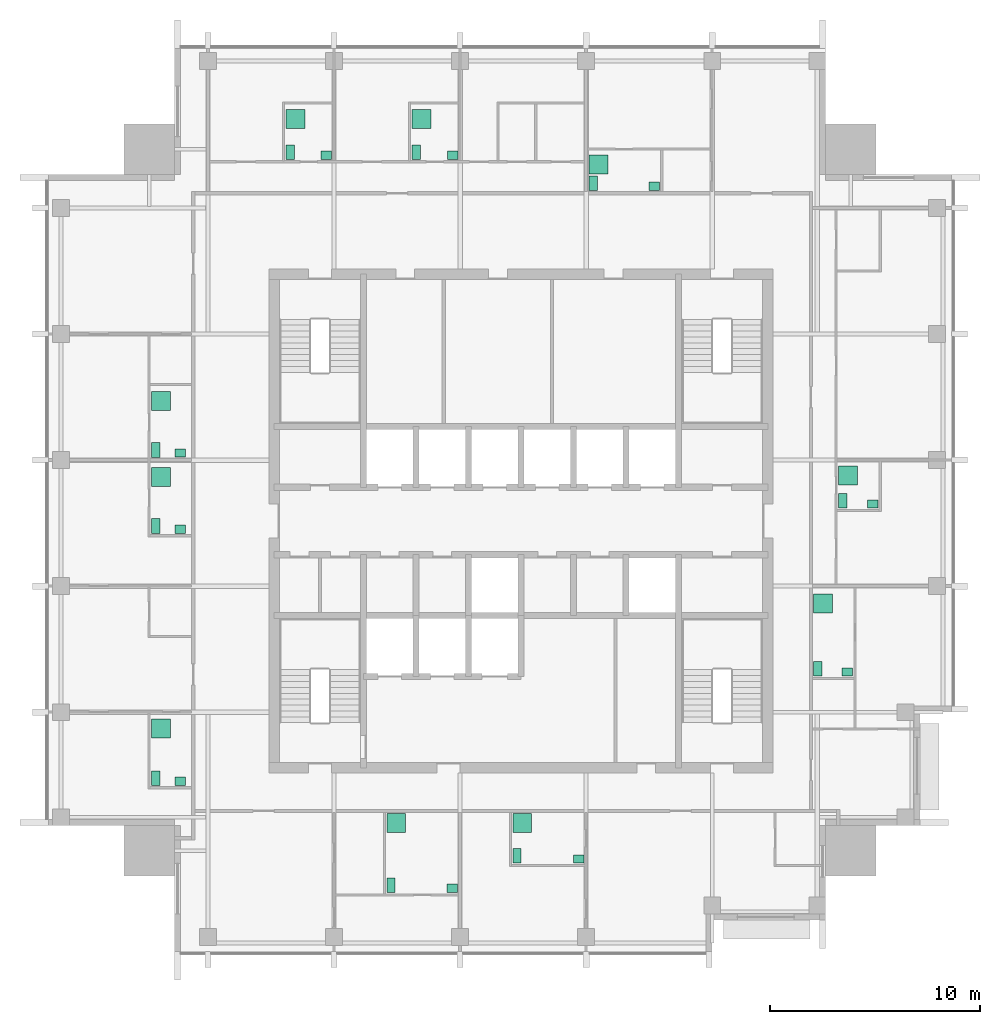
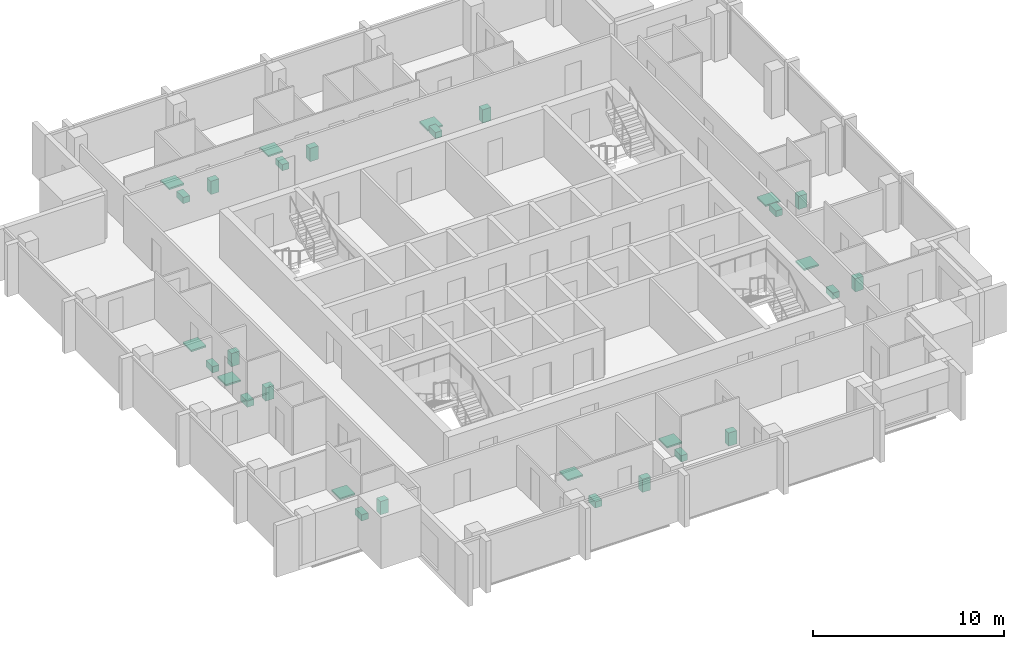
# One storey, part 9 of 9: 30 sanitary terminals.
"""IFC4 building model written with IfcOpenShell, lengths in metres."""

import ifcopenshell
import ifcopenshell.guid

model = None  # the IFC model being written
_history = None  # IfcOwnerHistory: only IFC2X3 demands one
_inside = {}  # id of a spatial element -> (the spatial element, [elements in it])
_under = {}  # id of a project, library or spatial element -> (it, [spatial elements below it])
_declared = {}  # id of a project -> (the project, [libraries it declares])
_typed = {}  # id of a type object -> (the type object, [elements of that type])
_made_of = {}  # id of a material, layer set ... -> (it, [elements and type objects made of it])


def new_model(schema):
    """Start an empty IFC model of exactly this schema.

    Asked for "IFC4X3", IfcOpenShell would pick the latest addendum, in which some entities
    have other attributes; the version numbers below select the first issue.
    IFC2X3 requires an IfcOwnerHistory on every rooted entity: one is made here for all.
    """
    global model, _history
    if schema == "IFC4X3":
        model = ifcopenshell.file(schema_version=(4, 3, 0, 0))
    else:
        model = ifcopenshell.file(schema=schema)
    _inside.clear()
    _under.clear()
    _declared.clear()
    _typed.clear()
    _made_of.clear()
    _history = None
    if model.schema == "IFC2X3":
        org = make("IfcOrganization", Name="unknown")
        user = make(
            "IfcPersonAndOrganization",
            ThePerson=make("IfcPerson", FamilyName="unknown"),
            TheOrganization=org,
        )
        app = make(
            "IfcApplication",
            ApplicationDeveloper=org,
            Version="unknown",
            ApplicationFullName="unknown",
            ApplicationIdentifier="unknown",
        )
        _history = make(
            "IfcOwnerHistory",
            OwningUser=user,
            OwningApplication=app,
            ChangeAction="ADDED",
            CreationDate=0,
        )
    return model


def make(cls, **values):
    """One entity of the class cls with the attributes given. An attribute that is None is left unset."""
    return model.create_entity(
        cls, **{name: value for name, value in values.items() if value is not None}
    )


def rooted(cls, **values):
    """An entity with a GlobalId (a new one), such as an element, a storey or a relation."""
    return make(cls, GlobalId=ifcopenshell.guid.new(), OwnerHistory=_history, **values)


def si_unit(unit_type, name, prefix=None):
    """IfcSIUnit, for example si_unit("LENGTHUNIT", "METRE", prefix="MILLI")."""
    return make("IfcSIUnit", UnitType=unit_type, Prefix=prefix, Name=name)


def assignment(units):
    """IfcUnitAssignment: the units of a project."""
    return None if units is None else make("IfcUnitAssignment", Units=units)


def point(xyz):
    """IfcCartesianPoint."""
    return None if xyz is None else make("IfcCartesianPoint", Coordinates=xyz)


def direction(xyz):
    """IfcDirection."""
    return None if xyz is None else make("IfcDirection", DirectionRatios=xyz)


def frame(location, z_axis=None, x_axis=None):
    """IfcAxis2Placement3D, a coordinate frame: its origin and axes. An axis left out is left unset."""
    return make(
        "IfcAxis2Placement3D",
        Location=point(location),
        Axis=direction(z_axis),
        RefDirection=direction(x_axis),
    )


def frame_2d(location, x_axis=None):
    """IfcAxis2Placement2D, a coordinate frame in the plane: its origin and x axis."""
    return make(
        "IfcAxis2Placement2D", Location=point(location), RefDirection=direction(x_axis)
    )


def origin():
    """The frame at (0, 0, 0) with its axes left unset."""
    return frame((0.0, 0.0, 0.0))


def origin_2d():
    """The frame at (0, 0) in the plane with its x axis left unset."""
    return frame_2d((0.0, 0.0))


def place(relative_to, where):
    """IfcLocalPlacement: puts the frame where relative to a parent placement (None: the world)."""
    return make(
        "IfcLocalPlacement", PlacementRelTo=relative_to, RelativePlacement=where
    )


def context(
    kind, dimensions, precision=None, world=None, true_north=None, identifier=None
):
    """IfcGeometricRepresentationContext, for example the 3D "Model" context."""
    return make(
        "IfcGeometricRepresentationContext",
        ContextIdentifier=identifier,
        ContextType=kind,
        CoordinateSpaceDimension=dimensions,
        Precision=precision,
        WorldCoordinateSystem=world,
        TrueNorth=true_north,
    )


def subcontext(parent, identifier, kind, view, scale=None):
    """IfcGeometricRepresentationSubContext, for example "Body" below "Model"."""
    return make(
        "IfcGeometricRepresentationSubContext",
        ContextIdentifier=identifier,
        ContextType=kind,
        ParentContext=parent,
        TargetScale=scale,
        TargetView=view,
    )


def project(units=None, contexts=None):
    """IfcProject with its units and contexts."""
    return rooted(
        "IfcProject",
        Name="project",
        RepresentationContexts=contexts,
        UnitsInContext=assignment(units),
    )


def spatial(cls, under=None, at=None, **own):
    """A site, building, storey or space (cls), placed at a placement, below another one or the project."""
    s = rooted(cls, ObjectPlacement=at, **own)
    if under is not None:
        _under.setdefault(under.id(), (under, []))[1].append(s)
    return s


def profile(cls, at=None, kind="AREA", **sizes):
    """A parametric profile (cls). Its sizes go by their IFC names, for example OverallWidth=200.0."""
    return make(cls, ProfileType=kind, Position=at, **sizes)


def rectangle(**sizes):
    """IfcRectangleProfileDef."""
    return profile("IfcRectangleProfileDef", **sizes)


def extrude(swept, where, along, depth):
    """IfcExtrudedAreaSolid: the profile swept, set in the frame where, extruded along a direction by depth."""
    return make(
        "IfcExtrudedAreaSolid",
        SweptArea=swept,
        Position=where,
        ExtrudedDirection=direction(along),
        Depth=depth,
    )


def shape(context_of_items, identifier, shape_type, items):
    """IfcShapeRepresentation: the items that make up one representation, for example the "Body"."""
    return make(
        "IfcShapeRepresentation",
        ContextOfItems=context_of_items,
        RepresentationIdentifier=identifier,
        RepresentationType=shape_type,
        Items=items,
    )


def made_of(thing, what):
    """Note that an element or type object is made of a material, layer set ...; save() writes the relation."""
    if what is not None:
        _made_of.setdefault(what.id(), (what, []))[1].append(thing)
    return thing


def element(
    cls,
    number,
    at=None,
    inside=None,
    cuts=None,
    type_object=None,
    material=None,
    context=None,
    identifier="Body",
    shape_type=None,
    held_by="IfcProductDefinitionShape",
    body=None,
    shapes=None,
    **own,
):
    """One element of the class cls, such as IfcWall. Its Tag is "e" and its number.

    at: its placement. inside: the storey or other place that contains it. cuts: it is an
    opening in that element (IfcRelVoidsElement). A single representation is given by context,
    identifier, shape_type and body (its items); several are given by shapes. held_by: the class
    of the entity that holds the representations. save() writes the other relations.
    """
    e = rooted(cls, Tag="e%d" % number, ObjectPlacement=at, **own)
    if body is not None:
        shapes = [shape(context, identifier, shape_type, body)]
    if shapes is not None:
        e.Representation = make(held_by, Representations=shapes)
    if inside is not None:
        _inside.setdefault(inside.id(), (inside, []))[1].append(e)
    if cuts is not None:
        rooted(
            "IfcRelVoidsElement", RelatingBuildingElement=cuts, RelatedOpeningElement=e
        )
    if type_object is not None:
        _typed.setdefault(type_object.id(), (type_object, []))[1].append(e)
    return made_of(e, material)


def aggregate(whole, parts):
    """IfcRelAggregates: a whole, such as a stair, and the parts it consists of."""
    return rooted("IfcRelAggregates", RelatingObject=whole, RelatedObjects=parts)


def save(model, path):
    """Write the relations noted so far, then the file.

    IfcRelAggregates (storeys below a building ...), IfcRelContainedInSpatialStructure (elements
    in a storey), IfcRelDefinesByType, IfcRelAssociatesMaterial and IfcRelDeclares: one each for
    every whole, place, type object, material and project.
    """
    for whole, parts in _under.values():
        aggregate(whole, parts)
    for where, things in _inside.values():
        rooted(
            "IfcRelContainedInSpatialStructure",
            RelatedElements=things,
            RelatingStructure=where,
        )
    for kind, things in _typed.values():
        rooted("IfcRelDefinesByType", RelatedObjects=things, RelatingType=kind)
    for what, things in _made_of.values():
        rooted("IfcRelAssociatesMaterial", RelatedObjects=things, RelatingMaterial=what)
    for by, libraries in _declared.values():
        rooted("IfcRelDeclares", RelatingContext=by, RelatedDefinitions=libraries)
    model.write(path)


model = new_model("IFC4")

# Units and contexts
model_context = context("Model", 3, precision=1e-05, world=origin(), true_north=direction((0.0, 1.0)))
body_context = subcontext(model_context, "Body", "Model", "MODEL_VIEW")
ifc_project = project(units=[si_unit("LENGTHUNIT", "METRE"), si_unit("AREAUNIT", "SQUARE_METRE"), si_unit("VOLUMEUNIT", "CUBIC_METRE"), si_unit("PLANEANGLEUNIT", "RADIAN"), si_unit("MASSUNIT", "GRAM", prefix="KILO")], contexts=[model_context])

# Site, building, storey
site_placement = place(None, origin())
site = spatial("IfcSite", under=ifc_project, at=site_placement, CompositionType="ELEMENT")
building_placement = place(site_placement, origin())
building = spatial("IfcBuilding", under=site, at=building_placement, Name="Amberfall Residences", CompositionType="ELEMENT")
storey_placement = place(building_placement, frame((0.0, 0.0, 255.39990234375)))
storey = spatial("IfcBuildingStorey", under=building, at=storey_placement, Name="L68", CompositionType="ELEMENT", Elevation=255.39990234375)

# Sanitary terminals
sanitary_terminal_1_placement = place(storey_placement, frame((68.31005859375, 28.159912109375, 0.000244140625), z_axis=(0.0, 0.0, 1.0), x_axis=(1.0, 0.0, 0.0)))
element("IfcSanitaryTerminal", 1, at=sanitary_terminal_1_placement, inside=storey, Name="Water closet 6801", PredefinedType="TOILETPAN", context=body_context, shape_type="SweptSolid", body=[
    extrude(rectangle(XDim=0.39990234375, YDim=0.699951171875, at=origin_2d()), origin(), (0.0, 0.0, 1.0), 0.39990234375),
])
sanitary_terminal_2_placement = place(storey_placement, frame((71.215087890625, 28.010009765625, 0.0), z_axis=(0.0, 0.0, 1.0), x_axis=(1.0, 0.0, 0.0)))
element("IfcSanitaryTerminal", 2, at=sanitary_terminal_2_placement, inside=storey, Name="Basin 6801", PredefinedType="WASHHANDBASIN", context=body_context, shape_type="SweptSolid", body=[
    extrude(rectangle(XDim=0.5, YDim=0.39990234375, at=origin_2d()), origin(), (0.0, 0.0, 1.0), 0.85009765625),
])
sanitary_terminal_3_placement = place(storey_placement, frame((68.56005859375, 31.114990234375, 0.0), z_axis=(0.0, 0.0, 1.0), x_axis=(1.0, 0.0, 0.0)))
element("IfcSanitaryTerminal", 3, at=sanitary_terminal_3_placement, inside=storey, Name="Shower tray 6801", PredefinedType="SHOWER", context=body_context, shape_type="SweptSolid", body=[
    extrude(rectangle(XDim=0.89990234375, YDim=0.89990234375, at=origin_2d()), origin(), (0.0, 0.0, 1.0), 0.10009765625),
])
sanitary_terminal_4_placement = place(storey_placement, frame((74.31005859375, 29.56005859375, 0.000244140625), z_axis=(0.0, 0.0, 1.0), x_axis=(1.0, 0.0, 0.0)))
element("IfcSanitaryTerminal", 4, at=sanitary_terminal_4_placement, inside=storey, Name="Water closet 6802", PredefinedType="TOILETPAN", context=body_context, shape_type="SweptSolid", body=[
    extrude(rectangle(XDim=0.39990234375, YDim=0.699951171875, at=origin_2d()), origin(), (0.0, 0.0, 1.0), 0.39990234375),
])
sanitary_terminal_5_placement = place(storey_placement, frame((77.239990234375, 29.409912109375, 0.0), z_axis=(0.0, 0.0, 1.0), x_axis=(1.0, 0.0, 0.0)))
element("IfcSanitaryTerminal", 5, at=sanitary_terminal_5_placement, inside=storey, Name="Basin 6802", PredefinedType="WASHHANDBASIN", context=body_context, shape_type="SweptSolid", body=[
    extrude(rectangle(XDim=0.5, YDim=0.39990234375, at=origin_2d()), origin(), (0.0, 0.0, 1.0), 0.85009765625),
])
sanitary_terminal_6_placement = place(storey_placement, frame((74.56005859375, 31.114990234375, 0.0), z_axis=(0.0, 0.0, 1.0), x_axis=(1.0, 0.0, 0.0)))
element("IfcSanitaryTerminal", 6, at=sanitary_terminal_6_placement, inside=storey, Name="Shower tray 6802", PredefinedType="SHOWER", context=body_context, shape_type="SweptSolid", body=[
    extrude(rectangle(XDim=0.89990234375, YDim=0.89990234375, at=origin_2d()), origin(), (0.0, 0.0, 1.0), 0.10009765625),
])
sanitary_terminal_7_placement = place(storey_placement, frame((88.635009765625, 38.4599609375, 0.000244140625), z_axis=(0.0, 0.0, 1.0), x_axis=(1.0, 0.0, 0.0)))
element("IfcSanitaryTerminal", 7, at=sanitary_terminal_7_placement, inside=storey, Name="Water closet 6803", PredefinedType="TOILETPAN", context=body_context, shape_type="SweptSolid", body=[
    extrude(rectangle(XDim=0.39990234375, YDim=0.699951171875, at=origin_2d()), origin(), (0.0, 0.0, 1.0), 0.39990234375),
])
sanitary_terminal_8_placement = place(storey_placement, frame((90.0400390625, 38.31005859375, 0.0), z_axis=(0.0, 0.0, 1.0), x_axis=(1.0, 0.0, 0.0)))
element("IfcSanitaryTerminal", 8, at=sanitary_terminal_8_placement, inside=storey, Name="Basin 6803", PredefinedType="WASHHANDBASIN", context=body_context, shape_type="SweptSolid", body=[
    extrude(rectangle(XDim=0.5, YDim=0.39990234375, at=origin_2d()), origin(), (0.0, 0.0, 1.0), 0.85009765625),
])
sanitary_terminal_9_placement = place(storey_placement, frame((88.885009765625, 41.58251953125, 0.0), z_axis=(0.0, 0.0, 1.0), x_axis=(1.0, 0.0, 0.0)))
element("IfcSanitaryTerminal", 9, at=sanitary_terminal_9_placement, inside=storey, Name="Shower tray 6803", PredefinedType="SHOWER", context=body_context, shape_type="SweptSolid", body=[
    extrude(rectangle(XDim=0.89990234375, YDim=0.89990234375, at=origin_2d()), origin(), (0.0, 0.0, 1.0), 0.10009765625),
])
sanitary_terminal_10_placement = place(storey_placement, frame((89.81005859375, 46.4599609375, 0.000244140625), z_axis=(0.0, 0.0, 1.0), x_axis=(1.0, 0.0, 0.0)))
element("IfcSanitaryTerminal", 10, at=sanitary_terminal_10_placement, inside=storey, Name="Water closet 6804", PredefinedType="TOILETPAN", context=body_context, shape_type="SweptSolid", body=[
    extrude(rectangle(XDim=0.39990234375, YDim=0.699951171875, at=origin_2d()), origin(), (0.0, 0.0, 1.0), 0.39990234375),
])
sanitary_terminal_11_placement = place(storey_placement, frame((91.239990234375, 46.31005859375, 0.0), z_axis=(0.0, 0.0, 1.0), x_axis=(1.0, 0.0, 0.0)))
element("IfcSanitaryTerminal", 11, at=sanitary_terminal_11_placement, inside=storey, Name="Basin 6804", PredefinedType="WASHHANDBASIN", context=body_context, shape_type="SweptSolid", body=[
    extrude(rectangle(XDim=0.5, YDim=0.39990234375, at=origin_2d()), origin(), (0.0, 0.0, 1.0), 0.85009765625),
])
sanitary_terminal_12_placement = place(storey_placement, frame((90.06005859375, 47.6572265625, 0.0), z_axis=(0.0, 0.0, 1.0), x_axis=(1.0, 0.0, 0.0)))
element("IfcSanitaryTerminal", 12, at=sanitary_terminal_12_placement, inside=storey, Name="Shower tray 6804", PredefinedType="SHOWER", context=body_context, shape_type="SweptSolid", body=[
    extrude(rectangle(XDim=0.89990234375, YDim=0.89990234375, at=origin_2d()), origin(), (0.0, 0.0, 1.0), 0.10009765625),
])
sanitary_terminal_13_placement = place(storey_placement, frame((63.510009765625, 63.06005859375, 0.000244140625), z_axis=(0.0, 0.0, 1.0), x_axis=(1.0, 0.0, 0.0)))
element("IfcSanitaryTerminal", 13, at=sanitary_terminal_13_placement, inside=storey, Name="Water closet 6805", PredefinedType="TOILETPAN", context=body_context, shape_type="SweptSolid", body=[
    extrude(rectangle(XDim=0.39990234375, YDim=0.699951171875, at=origin_2d()), origin(), (0.0, 0.0, 1.0), 0.39990234375),
])
sanitary_terminal_14_placement = place(storey_placement, frame((65.239990234375, 62.909912109375, 0.0), z_axis=(0.0, 0.0, 1.0), x_axis=(1.0, 0.0, 0.0)))
element("IfcSanitaryTerminal", 14, at=sanitary_terminal_14_placement, inside=storey, Name="Basin 6805", PredefinedType="WASHHANDBASIN", context=body_context, shape_type="SweptSolid", body=[
    extrude(rectangle(XDim=0.5, YDim=0.39990234375, at=origin_2d()), origin(), (0.0, 0.0, 1.0), 0.85009765625),
])
sanitary_terminal_15_placement = place(storey_placement, frame((63.760009765625, 64.6298828125, 0.0), z_axis=(0.0, 0.0, 1.0), x_axis=(1.0, 0.0, 0.0)))
element("IfcSanitaryTerminal", 15, at=sanitary_terminal_15_placement, inside=storey, Name="Shower tray 6805", PredefinedType="SHOWER", context=body_context, shape_type="SweptSolid", body=[
    extrude(rectangle(XDim=0.89990234375, YDim=0.89990234375, at=origin_2d()), origin(), (0.0, 0.0, 1.0), 0.10009765625),
])
sanitary_terminal_16_placement = place(storey_placement, frame((69.510009765625, 63.06005859375, 0.000244140625), z_axis=(0.0, 0.0, 1.0), x_axis=(1.0, 0.0, 0.0)))
element("IfcSanitaryTerminal", 16, at=sanitary_terminal_16_placement, inside=storey, Name="Water closet 6805", PredefinedType="TOILETPAN", context=body_context, shape_type="SweptSolid", body=[
    extrude(rectangle(XDim=0.39990234375, YDim=0.699951171875, at=origin_2d()), origin(), (0.0, 0.0, 1.0), 0.39990234375),
])
sanitary_terminal_17_placement = place(storey_placement, frame((71.239990234375, 62.909912109375, 0.0), z_axis=(0.0, 0.0, 1.0), x_axis=(1.0, 0.0, 0.0)))
element("IfcSanitaryTerminal", 17, at=sanitary_terminal_17_placement, inside=storey, Name="Basin 6805", PredefinedType="WASHHANDBASIN", context=body_context, shape_type="SweptSolid", body=[
    extrude(rectangle(XDim=0.5, YDim=0.39990234375, at=origin_2d()), origin(), (0.0, 0.0, 1.0), 0.85009765625),
])
sanitary_terminal_18_placement = place(storey_placement, frame((69.760009765625, 64.6298828125, 0.0), z_axis=(0.0, 0.0, 1.0), x_axis=(1.0, 0.0, 0.0)))
element("IfcSanitaryTerminal", 18, at=sanitary_terminal_18_placement, inside=storey, Name="Shower tray 6805", PredefinedType="SHOWER", context=body_context, shape_type="SweptSolid", body=[
    extrude(rectangle(XDim=0.89990234375, YDim=0.89990234375, at=origin_2d()), origin(), (0.0, 0.0, 1.0), 0.10009765625),
])
sanitary_terminal_19_placement = place(storey_placement, frame((77.93505859375, 61.5849609375, 0.000244140625), z_axis=(0.0, 0.0, 1.0), x_axis=(1.0, 0.0, 0.0)))
element("IfcSanitaryTerminal", 19, at=sanitary_terminal_19_placement, inside=storey, Name="Water closet 6806", PredefinedType="TOILETPAN", context=body_context, shape_type="SweptSolid", body=[
    extrude(rectangle(XDim=0.39990234375, YDim=0.699951171875, at=origin_2d()), origin(), (0.0, 0.0, 1.0), 0.39990234375),
])
sanitary_terminal_20_placement = place(storey_placement, frame((80.840087890625, 61.43505859375, 0.0), z_axis=(0.0, 0.0, 1.0), x_axis=(1.0, 0.0, 0.0)))
element("IfcSanitaryTerminal", 20, at=sanitary_terminal_20_placement, inside=storey, Name="Basin 6806", PredefinedType="WASHHANDBASIN", context=body_context, shape_type="SweptSolid", body=[
    extrude(rectangle(XDim=0.5, YDim=0.39990234375, at=origin_2d()), origin(), (0.0, 0.0, 1.0), 0.85009765625),
])
sanitary_terminal_21_placement = place(storey_placement, frame((78.18505859375, 62.480712890625, 0.0), z_axis=(0.0, 0.0, 1.0), x_axis=(1.0, 0.0, 0.0)))
element("IfcSanitaryTerminal", 21, at=sanitary_terminal_21_placement, inside=storey, Name="Shower tray 6806", PredefinedType="SHOWER", context=body_context, shape_type="SweptSolid", body=[
    extrude(rectangle(XDim=0.89990234375, YDim=0.89990234375, at=origin_2d()), origin(), (0.0, 0.0, 1.0), 0.10009765625),
])
sanitary_terminal_22_placement = place(storey_placement, frame((57.110107421875, 33.260009765625, 0.000244140625), z_axis=(0.0, 0.0, 1.0), x_axis=(1.0, 0.0, 0.0)))
element("IfcSanitaryTerminal", 22, at=sanitary_terminal_22_placement, inside=storey, Name="Water closet 6807", PredefinedType="TOILETPAN", context=body_context, shape_type="SweptSolid", body=[
    extrude(rectangle(XDim=0.39990234375, YDim=0.699951171875, at=origin_2d()), origin(), (0.0, 0.0, 1.0), 0.39990234375),
])
sanitary_terminal_23_placement = place(storey_placement, frame((58.2890625, 33.110107421875, 0.0), z_axis=(0.0, 0.0, 1.0), x_axis=(1.0, 0.0, 0.0)))
element("IfcSanitaryTerminal", 23, at=sanitary_terminal_23_placement, inside=storey, Name="Basin 6807", PredefinedType="WASHHANDBASIN", context=body_context, shape_type="SweptSolid", body=[
    extrude(rectangle(XDim=0.5, YDim=0.39990234375, at=origin_2d()), origin(), (0.0, 0.0, 1.0), 0.85009765625),
])
sanitary_terminal_24_placement = place(storey_placement, frame((57.360107421875, 35.614501953125, 0.0), z_axis=(0.0, 0.0, 1.0), x_axis=(1.0, 0.0, 0.0)))
element("IfcSanitaryTerminal", 24, at=sanitary_terminal_24_placement, inside=storey, Name="Shower tray 6807", PredefinedType="SHOWER", context=body_context, shape_type="SweptSolid", body=[
    extrude(rectangle(XDim=0.89990234375, YDim=0.89990234375, at=origin_2d()), origin(), (0.0, 0.0, 1.0), 0.10009765625),
])
sanitary_terminal_25_placement = place(storey_placement, frame((57.110107421875, 45.260009765625, 0.000244140625), z_axis=(0.0, 0.0, 1.0), x_axis=(1.0, 0.0, 0.0)))
element("IfcSanitaryTerminal", 25, at=sanitary_terminal_25_placement, inside=storey, Name="Water closet 6807", PredefinedType="TOILETPAN", context=body_context, shape_type="SweptSolid", body=[
    extrude(rectangle(XDim=0.39990234375, YDim=0.699951171875, at=origin_2d()), origin(), (0.0, 0.0, 1.0), 0.39990234375),
])
sanitary_terminal_26_placement = place(storey_placement, frame((58.2890625, 45.110107421875, 0.0), z_axis=(0.0, 0.0, 1.0), x_axis=(1.0, 0.0, 0.0)))
element("IfcSanitaryTerminal", 26, at=sanitary_terminal_26_placement, inside=storey, Name="Basin 6807", PredefinedType="WASHHANDBASIN", context=body_context, shape_type="SweptSolid", body=[
    extrude(rectangle(XDim=0.5, YDim=0.39990234375, at=origin_2d()), origin(), (0.0, 0.0, 1.0), 0.85009765625),
])
sanitary_terminal_27_placement = place(storey_placement, frame((57.360107421875, 47.591796875, 0.0), z_axis=(0.0, 0.0, 1.0), x_axis=(1.0, 0.0, 0.0)))
element("IfcSanitaryTerminal", 27, at=sanitary_terminal_27_placement, inside=storey, Name="Shower tray 6807", PredefinedType="SHOWER", context=body_context, shape_type="SweptSolid", body=[
    extrude(rectangle(XDim=0.89990234375, YDim=0.89990234375, at=origin_2d()), origin(), (0.0, 0.0, 1.0), 0.10009765625),
])
sanitary_terminal_28_placement = place(storey_placement, frame((57.110107421875, 48.885009765625, 0.000244140625), z_axis=(0.0, 0.0, 1.0), x_axis=(1.0, 0.0, 0.0)))
element("IfcSanitaryTerminal", 28, at=sanitary_terminal_28_placement, inside=storey, Name="Water closet 6808", PredefinedType="TOILETPAN", context=body_context, shape_type="SweptSolid", body=[
    extrude(rectangle(XDim=0.39990234375, YDim=0.699951171875, at=origin_2d()), origin(), (0.0, 0.0, 1.0), 0.39990234375),
])
sanitary_terminal_29_placement = place(storey_placement, frame((58.2890625, 48.735107421875, 0.0), z_axis=(0.0, 0.0, 1.0), x_axis=(1.0, 0.0, 0.0)))
element("IfcSanitaryTerminal", 29, at=sanitary_terminal_29_placement, inside=storey, Name="Basin 6808", PredefinedType="WASHHANDBASIN", context=body_context, shape_type="SweptSolid", body=[
    extrude(rectangle(XDim=0.5, YDim=0.39990234375, at=origin_2d()), origin(), (0.0, 0.0, 1.0), 0.85009765625),
])
sanitary_terminal_30_placement = place(storey_placement, frame((57.360107421875, 51.216796875, 0.0), z_axis=(0.0, 0.0, 1.0), x_axis=(1.0, 0.0, 0.0)))
element("IfcSanitaryTerminal", 30, at=sanitary_terminal_30_placement, inside=storey, Name="Shower tray 6808", PredefinedType="SHOWER", context=body_context, shape_type="SweptSolid", body=[
    extrude(rectangle(XDim=0.89990234375, YDim=0.89990234375, at=origin_2d()), origin(), (0.0, 0.0, 1.0), 0.10009765625),
])

save(model, "model.ifc")
